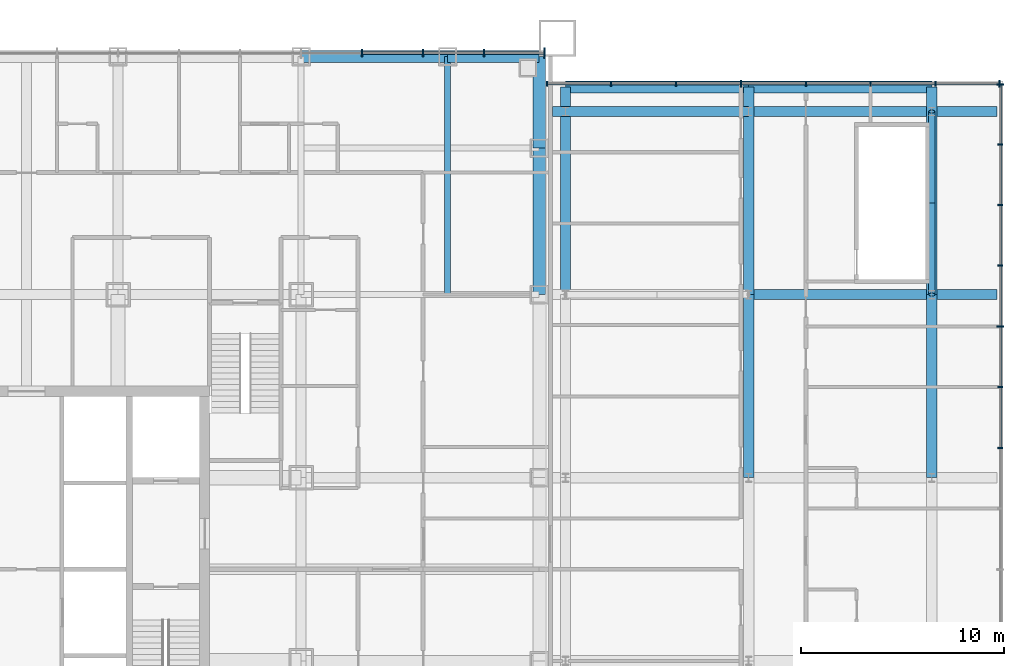
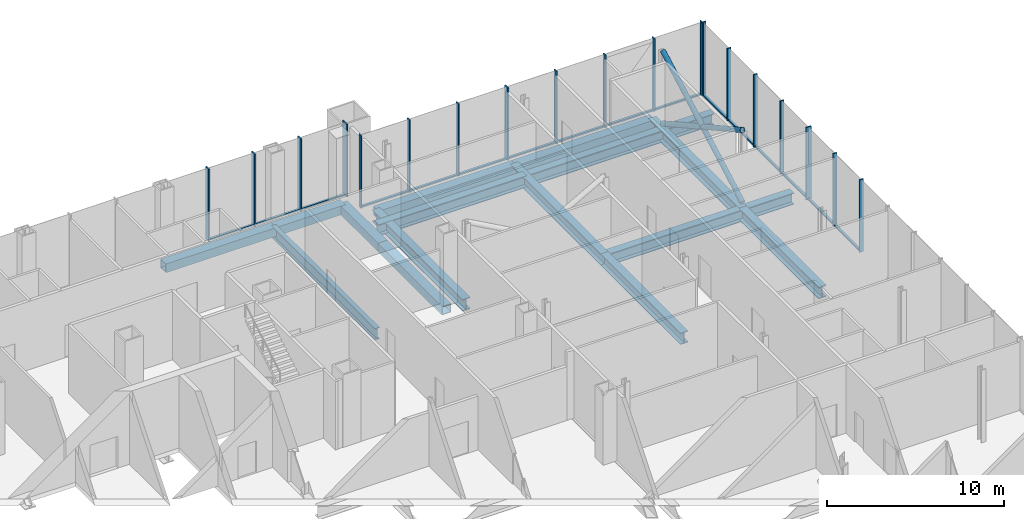
# One storey, part 12 of 28: 37 members, 15 beams, 3 elements without a shape of their own.
"""IFC4 building model written with IfcOpenShell, lengths in metres."""

from ifc_helpers import new_model, si_unit, direction, frame, origin, origin_2d, place, context, subcontext, project, spatial, rectangle, hollow_rectangle, hollow_circle, i_section, extrude, material, layer, layer_set, material_profile, profile_set, type_object, element, aggregate, save


model = new_model("IFC4")

# Units and contexts
model_context = context("Model", 3, precision=1e-05, world=origin(), true_north=direction((0.0, 1.0)))
body_context = subcontext(model_context, "Body", "Model", "MODEL_VIEW")
ifc_project = project(units=[si_unit("LENGTHUNIT", "METRE"), si_unit("AREAUNIT", "SQUARE_METRE"), si_unit("VOLUMEUNIT", "CUBIC_METRE"), si_unit("PLANEANGLEUNIT", "RADIAN"), si_unit("MASSUNIT", "GRAM", prefix="KILO")], contexts=[model_context])

# Site, building, storey
site_placement = place(None, origin())
site = spatial("IfcSite", under=ifc_project, at=site_placement, CompositionType="ELEMENT")
building_placement = place(site_placement, origin())
building = spatial("IfcBuilding", under=site, at=building_placement, Name="Malebo Sky Hospital", CompositionType="ELEMENT")
storey_placement = place(building_placement, frame((0.0, 0.0, 21.0)))
storey = spatial("IfcBuildingStorey", under=building, at=storey_placement, Name="L04", CompositionType="ELEMENT", Elevation=21.0)

# Curtain wall, members
ifc_material_1 = material(Name="Anodised aluminium, natural silver", Category="aluminium")
ifc_layer_1 = layer(ifc_material_1, 0.25)
ifc_layer_set_1 = layer_set([ifc_layer_1], Name="PODIUM ENTRANCE BAY CURTAIN WALL")
curtain_wall_type_1 = type_object("IfcCurtainWallType", Name="PODIUM ENTRANCE BAY CURTAIN WALL", PredefinedType="NOTDEFINED", material=ifc_layer_set_1)
curtain_wall_1_placement = place(storey_placement, origin())
curtain_wall_1 = element("IfcCurtainWall", 1, at=curtain_wall_1_placement, inside=storey, type_object=curtain_wall_type_1, Name="BAY curtain wall BN", PredefinedType="NOTDEFINED")
ifc_material_profile_1 = material_profile(ifc_material_1, rectangle(XDim=0.14990234375, YDim=0.10009765625, at=origin_2d()), Name="ALUMINIUM TRANSOM 150x100")
ifc_profile_set_1 = profile_set([ifc_material_profile_1], Name="Anodised aluminium, natural silver")
member_type_1 = type_object("IfcMemberType", Name="ALUMINIUM TRANSOM 150x100", PredefinedType="USERDEFINED", material=ifc_profile_set_1)
member_1_placement = place(storey_placement, frame((85.425048828125, 87.375, 0.050048828125), z_axis=(-1.0, 0.0, 0.0), x_axis=(0.0, -1.0, 0.0)))
member_1 = element("IfcMember", 2, at=member_1_placement, type_object=member_type_1, Name="Transom 1", ObjectType="TRANSOM", PredefinedType="USERDEFINED", context=body_context, shape_type="SweptSolid", body=[
    extrude(rectangle(XDim=0.14990234375, YDim=0.10009765625, at=origin_2d()), origin(), (0.0, 0.0, 1.0), 2.887451171875),
])
member_2_placement = place(storey_placement, frame((82.46240234375, 87.375, 0.050048828125), z_axis=(-1.0, 0.0, 0.0), x_axis=(0.0, -1.0, 0.0)))
member_2 = element("IfcMember", 3, at=member_2_placement, type_object=member_type_1, Name="Transom 2", ObjectType="TRANSOM", PredefinedType="USERDEFINED", context=body_context, shape_type="SweptSolid", body=[
    extrude(rectangle(XDim=0.14990234375, YDim=0.10009765625, at=origin_2d()), origin(), (0.0, 0.0, 1.0), 2.9248046875),
])
member_3_placement = place(storey_placement, frame((79.46240234375, 87.375, 0.050048828125), z_axis=(-1.0, 0.0, 0.0), x_axis=(0.0, -1.0, 0.0)))
member_3 = element("IfcMember", 4, at=member_3_placement, type_object=member_type_1, Name="Transom 3", ObjectType="TRANSOM", PredefinedType="USERDEFINED", context=body_context, shape_type="SweptSolid", body=[
    extrude(rectangle(XDim=0.14990234375, YDim=0.10009765625, at=origin_2d()), origin(), (0.0, 0.0, 1.0), 2.9248046875),
])

ifc_layer_2 = layer(ifc_material_1, 0.25)
ifc_layer_set_2 = layer_set([ifc_layer_2], Name="PODIUM CURTAIN WALL")
curtain_wall_type_2 = type_object("IfcCurtainWallType", Name="PODIUM CURTAIN WALL", PredefinedType="NOTDEFINED", material=ifc_layer_set_2)
curtain_wall_2_placement = place(storey_placement, origin())
curtain_wall_2 = element("IfcCurtainWall", 5, at=curtain_wall_2_placement, inside=storey, type_object=curtain_wall_type_2, Name="POD curtain wall EE", PredefinedType="NOTDEFINED")
member_4_placement = place(storey_placement, frame((107.875, 68.00634765625, 0.050048828125), z_axis=(0.0, 1.0, 0.0), x_axis=(-1.0, 0.0, 0.0)))
member_4 = element("IfcMember", 6, at=member_4_placement, type_object=member_type_1, Name="Transom 11", ObjectType="TRANSOM", PredefinedType="USERDEFINED", context=body_context, shape_type="SweptSolid", body=[
    extrude(rectangle(XDim=0.14990234375, YDim=0.10009765625, at=origin_2d()), origin(), (0.0, 0.0, 1.0), 2.9091796875),
])
member_5_placement = place(storey_placement, frame((107.875, 70.990478515625, 0.050048828125), z_axis=(0.0, 1.0, 0.0), x_axis=(-1.0, 0.0, 0.0)))
member_5 = element("IfcMember", 7, at=member_5_placement, type_object=member_type_1, Name="Transom 12", ObjectType="TRANSOM", PredefinedType="USERDEFINED", context=body_context, shape_type="SweptSolid", body=[
    extrude(rectangle(XDim=0.14990234375, YDim=0.10009765625, at=origin_2d()), origin(), (0.0, 0.0, 1.0), 2.909423828125),
])
member_6_placement = place(storey_placement, frame((107.875, 73.97509765625, 0.050048828125), z_axis=(0.0, 1.0, 0.0), x_axis=(-1.0, 0.0, 0.0)))
member_6 = element("IfcMember", 8, at=member_6_placement, type_object=member_type_1, Name="Transom 13", ObjectType="TRANSOM", PredefinedType="USERDEFINED", context=body_context, shape_type="SweptSolid", body=[
    extrude(rectangle(XDim=0.14990234375, YDim=0.10009765625, at=origin_2d()), origin(), (0.0, 0.0, 1.0), 2.909423828125),
])
member_7_placement = place(storey_placement, frame((107.875, 76.95947265625, 0.050048828125), z_axis=(0.0, 1.0, 0.0), x_axis=(-1.0, 0.0, 0.0)))
member_7 = element("IfcMember", 9, at=member_7_placement, type_object=member_type_1, Name="Transom 14", ObjectType="TRANSOM", PredefinedType="USERDEFINED", context=body_context, shape_type="SweptSolid", body=[
    extrude(rectangle(XDim=0.14990234375, YDim=0.10009765625, at=origin_2d()), origin(), (0.0, 0.0, 1.0), 2.9091796875),
])
member_8_placement = place(storey_placement, frame((107.875, 79.943603515625, 0.050048828125), z_axis=(0.0, 1.0, 0.0), x_axis=(-1.0, 0.0, 0.0)))
member_8 = element("IfcMember", 10, at=member_8_placement, type_object=member_type_1, Name="Transom 15", ObjectType="TRANSOM", PredefinedType="USERDEFINED", context=body_context, shape_type="SweptSolid", body=[
    extrude(rectangle(XDim=0.14990234375, YDim=0.10009765625, at=origin_2d()), origin(), (0.0, 0.0, 1.0), 2.909423828125),
])
member_9_placement = place(storey_placement, frame((107.875, 82.927978515625, 0.050048828125), z_axis=(0.0, 1.0, 0.0), x_axis=(-1.0, 0.0, 0.0)))
member_9 = element("IfcMember", 11, at=member_9_placement, type_object=member_type_1, Name="Transom 16", ObjectType="TRANSOM", PredefinedType="USERDEFINED", context=body_context, shape_type="SweptSolid", body=[
    extrude(rectangle(XDim=0.14990234375, YDim=0.10009765625, at=origin_2d()), origin(), (0.0, 0.0, 1.0), 2.8720703125),
])

curtain_wall_3_placement = place(storey_placement, origin())
curtain_wall_3 = element("IfcCurtainWall", 12, at=curtain_wall_3_placement, inside=storey, type_object=curtain_wall_type_2, Name="POD curtain wall EN", PredefinedType="NOTDEFINED")
member_10_placement = place(storey_placement, frame((107.800048828125, 85.875, 0.050048828125), z_axis=(-1.0, 0.0, 0.0), x_axis=(0.0, -1.0, 0.0)))
member_10 = element("IfcMember", 13, at=member_10_placement, type_object=member_type_1, Name="Transom 1", ObjectType="TRANSOM", PredefinedType="USERDEFINED", context=body_context, shape_type="SweptSolid", body=[
    extrude(rectangle(XDim=0.14990234375, YDim=0.10009765625, at=origin_2d()), origin(), (0.0, 0.0, 1.0), 3.076904296875),
])
member_11_placement = place(storey_placement, frame((104.648193359375, 85.875, 0.050048828125), z_axis=(-1.0, 0.0, 0.0), x_axis=(0.0, -1.0, 0.0)))
member_11 = element("IfcMember", 14, at=member_11_placement, type_object=member_type_1, Name="Transom 2", ObjectType="TRANSOM", PredefinedType="USERDEFINED", context=body_context, shape_type="SweptSolid", body=[
    extrude(rectangle(XDim=0.14990234375, YDim=0.10009765625, at=origin_2d()), origin(), (0.0, 0.0, 1.0), 3.1142578125),
])
member_12_placement = place(storey_placement, frame((101.458984375, 85.875, 0.050048828125), z_axis=(-1.0, 0.0, 0.0), x_axis=(0.0, -1.0, 0.0)))
member_12 = element("IfcMember", 15, at=member_12_placement, type_object=member_type_1, Name="Transom 3", ObjectType="TRANSOM", PredefinedType="USERDEFINED", context=body_context, shape_type="SweptSolid", body=[
    extrude(rectangle(XDim=0.14990234375, YDim=0.10009765625, at=origin_2d()), origin(), (0.0, 0.0, 1.0), 3.114501953125),
])
member_13_placement = place(storey_placement, frame((98.26953125, 85.875, 0.050048828125), z_axis=(-1.0, 0.0, 0.0), x_axis=(0.0, -1.0, 0.0)))
member_13 = element("IfcMember", 16, at=member_13_placement, type_object=member_type_1, Name="Transom 4", ObjectType="TRANSOM", PredefinedType="USERDEFINED", context=body_context, shape_type="SweptSolid", body=[
    extrude(rectangle(XDim=0.14990234375, YDim=0.10009765625, at=origin_2d()), origin(), (0.0, 0.0, 1.0), 3.114013671875),
])
member_14_placement = place(storey_placement, frame((95.080322265625, 85.875, 0.050048828125), z_axis=(-1.0, 0.0, 0.0), x_axis=(0.0, -1.0, 0.0)))
member_14 = element("IfcMember", 17, at=member_14_placement, type_object=member_type_1, Name="Transom 5", ObjectType="TRANSOM", PredefinedType="USERDEFINED", context=body_context, shape_type="SweptSolid", body=[
    extrude(rectangle(XDim=0.14990234375, YDim=0.10009765625, at=origin_2d()), origin(), (0.0, 0.0, 1.0), 3.1142578125),
])
member_15_placement = place(storey_placement, frame((91.89111328125, 85.875, 0.050048828125), z_axis=(-1.0, 0.0, 0.0), x_axis=(0.0, -1.0, 0.0)))
member_15 = element("IfcMember", 18, at=member_15_placement, type_object=member_type_1, Name="Transom 6", ObjectType="TRANSOM", PredefinedType="USERDEFINED", context=body_context, shape_type="SweptSolid", body=[
    extrude(rectangle(XDim=0.14990234375, YDim=0.10009765625, at=origin_2d()), origin(), (0.0, 0.0, 1.0), 3.1142578125),
])
member_16_placement = place(storey_placement, frame((88.701904296875, 85.875, 0.050048828125), z_axis=(-1.0, 0.0, 0.0), x_axis=(0.0, -1.0, 0.0)))
member_16 = element("IfcMember", 19, at=member_16_placement, type_object=member_type_1, Name="Transom 7", ObjectType="TRANSOM", PredefinedType="USERDEFINED", context=body_context, shape_type="SweptSolid", body=[
    extrude(rectangle(XDim=0.14990234375, YDim=0.10009765625, at=origin_2d()), origin(), (0.0, 0.0, 1.0), 3.076904296875),
])

# Member
ifc_material_profile_2 = material_profile(ifc_material_1, rectangle(XDim=0.074951171875, YDim=0.25, at=origin_2d()), Name="CW3 ALUMINIUM FIN MULLION 75x250")
ifc_profile_set_2 = profile_set([ifc_material_profile_2], Name="Anodised aluminium, natural silver")
member_type_2 = type_object("IfcMemberType", Name="CW3 ALUMINIUM FIN MULLION 75x250", PredefinedType="MULLION", material=ifc_profile_set_2)
member_17_placement = place(storey_placement, frame((107.875, 67.96875, 0.0), z_axis=(0.0, 0.0, 1.0), x_axis=(0.0, 1.0, 0.0)))
member_17 = element("IfcMember", 20, at=member_17_placement, type_object=member_type_2, Name="Fin mullion 11", PredefinedType="MULLION", context=body_context, shape_type="SweptSolid", body=[
    extrude(rectangle(XDim=0.074951171875, YDim=0.25, at=origin_2d()), origin(), (0.0, 0.0, 1.0), 5.0),
])

member_18_placement = place(storey_placement, frame((107.875, 70.953125, 0.0), z_axis=(0.0, 0.0, 1.0), x_axis=(0.0, 1.0, 0.0)))
member_18 = element("IfcMember", 21, at=member_18_placement, type_object=member_type_2, Name="Fin mullion 12", PredefinedType="MULLION", context=body_context, shape_type="SweptSolid", body=[
    extrude(rectangle(XDim=0.074951171875, YDim=0.25, at=origin_2d()), origin(), (0.0, 0.0, 1.0), 5.0),
])

member_19_placement = place(storey_placement, frame((107.875, 76.921875, 0.0), z_axis=(0.0, 0.0, 1.0), x_axis=(0.0, 1.0, 0.0)))
member_19 = element("IfcMember", 22, at=member_19_placement, type_object=member_type_2, Name="Fin mullion 14", PredefinedType="MULLION", context=body_context, shape_type="SweptSolid", body=[
    extrude(rectangle(XDim=0.074951171875, YDim=0.25, at=origin_2d()), origin(), (0.0, 0.0, 1.0), 5.0),
])

member_20_placement = place(storey_placement, frame((107.875, 79.90625, 0.0), z_axis=(0.0, 0.0, 1.0), x_axis=(0.0, 1.0, 0.0)))
member_20 = element("IfcMember", 23, at=member_20_placement, type_object=member_type_2, Name="Fin mullion 15", PredefinedType="MULLION", context=body_context, shape_type="SweptSolid", body=[
    extrude(rectangle(XDim=0.074951171875, YDim=0.25, at=origin_2d()), origin(), (0.0, 0.0, 1.0), 5.0),
])

member_21_placement = place(storey_placement, frame((107.875, 82.890625, 0.0), z_axis=(0.0, 0.0, 1.0), x_axis=(0.0, 1.0, 0.0)))
member_21 = element("IfcMember", 24, at=member_21_placement, type_object=member_type_2, Name="Fin mullion 16", PredefinedType="MULLION", context=body_context, shape_type="SweptSolid", body=[
    extrude(rectangle(XDim=0.074951171875, YDim=0.25, at=origin_2d()), origin(), (0.0, 0.0, 1.0), 5.0),
])

member_22_placement = place(storey_placement, frame((104.685791015625, 85.875, 0.0), z_axis=(0.0, 0.0, 1.0), x_axis=(-1.0, 0.0, 0.0)))
member_22 = element("IfcMember", 25, at=member_22_placement, type_object=member_type_2, Name="Fin mullion 2", PredefinedType="MULLION", context=body_context, shape_type="SweptSolid", body=[
    extrude(rectangle(XDim=0.074951171875, YDim=0.25, at=origin_2d()), origin(), (0.0, 0.0, 1.0), 5.0),
])

member_23_placement = place(storey_placement, frame((101.496337890625, 85.875, 0.0), z_axis=(0.0, 0.0, 1.0), x_axis=(-1.0, 0.0, 0.0)))
member_23 = element("IfcMember", 26, at=member_23_placement, type_object=member_type_2, Name="Fin mullion 3", PredefinedType="MULLION", context=body_context, shape_type="SweptSolid", body=[
    extrude(rectangle(XDim=0.074951171875, YDim=0.25, at=origin_2d()), origin(), (0.0, 0.0, 1.0), 5.0),
])

member_24_placement = place(storey_placement, frame((98.30712890625, 85.875, 0.0), z_axis=(0.0, 0.0, 1.0), x_axis=(-1.0, 0.0, 0.0)))
member_24 = element("IfcMember", 27, at=member_24_placement, type_object=member_type_2, Name="Fin mullion 4", PredefinedType="MULLION", context=body_context, shape_type="SweptSolid", body=[
    extrude(rectangle(XDim=0.074951171875, YDim=0.25, at=origin_2d()), origin(), (0.0, 0.0, 1.0), 5.0),
])

member_25_placement = place(storey_placement, frame((91.9287109375, 85.875, 0.0), z_axis=(0.0, 0.0, 1.0), x_axis=(-1.0, 0.0, 0.0)))
member_25 = element("IfcMember", 28, at=member_25_placement, type_object=member_type_2, Name="Fin mullion 6", PredefinedType="MULLION", context=body_context, shape_type="SweptSolid", body=[
    extrude(rectangle(XDim=0.074951171875, YDim=0.25, at=origin_2d()), origin(), (0.0, 0.0, 1.0), 5.0),
])

member_26_placement = place(storey_placement, frame((88.7392578125, 85.875, 0.0), z_axis=(0.0, 0.0, 1.0), x_axis=(-1.0, 0.0, 0.0)))
member_26 = element("IfcMember", 29, at=member_26_placement, type_object=member_type_2, Name="Fin mullion 7", PredefinedType="MULLION", context=body_context, shape_type="SweptSolid", body=[
    extrude(rectangle(XDim=0.074951171875, YDim=0.25, at=origin_2d()), origin(), (0.0, 0.0, 1.0), 5.0),
])

member_27_placement = place(storey_placement, frame((85.58740234375, 85.875, 0.0), z_axis=(0.0, 0.0, 1.0), x_axis=(-1.0, 0.0, 0.0)))
member_27 = element("IfcMember", 30, at=member_27_placement, type_object=member_type_2, Name="Fin mullion 8", PredefinedType="MULLION", context=body_context, shape_type="SweptSolid", body=[
    extrude(rectangle(XDim=0.074951171875, YDim=0.25, at=origin_2d()), origin(), (0.0, 0.0, 1.0), 5.0),
])

ifc_material_profile_3 = material_profile(ifc_material_1, rectangle(XDim=0.074951171875, YDim=0.35009765625, at=origin_2d()), Name="CW3 ALUMINIUM FIN MULLION 75x350")
ifc_profile_set_3 = profile_set([ifc_material_profile_3], Name="Anodised aluminium, natural silver")
member_type_3 = type_object("IfcMemberType", Name="CW3 ALUMINIUM FIN MULLION 75x350", PredefinedType="MULLION", material=ifc_profile_set_3)
member_28_placement = place(storey_placement, frame((107.875, 73.9375, 0.0), z_axis=(0.0, 0.0, 1.0), x_axis=(0.0, 1.0, 0.0)))
member_28 = element("IfcMember", 31, at=member_28_placement, type_object=member_type_3, Name="Fin mullion 13", PredefinedType="MULLION", context=body_context, shape_type="SweptSolid", body=[
    extrude(rectangle(XDim=0.074951171875, YDim=0.35009765625, at=origin_2d()), origin(), (0.0, 0.0, 1.0), 5.0),
])

member_29_placement = place(storey_placement, frame((107.875, 85.83740234375, 0.0), z_axis=(0.0, 0.0, 1.0), x_axis=(0.0, 1.0, 0.0)))
member_29 = element("IfcMember", 32, at=member_29_placement, type_object=member_type_3, Name="Fin mullion 17", PredefinedType="MULLION", context=body_context, shape_type="SweptSolid", body=[
    extrude(rectangle(XDim=0.074951171875, YDim=0.35009765625, at=origin_2d()), origin(), (0.0, 0.0, 1.0), 5.0),
])

aggregate(curtain_wall_2, [member_17, member_18, member_28, member_19, member_20, member_21, member_29, member_4, member_5, member_6, member_7, member_8, member_9])

member_30_placement = place(storey_placement, frame((107.83740234375, 85.875, 0.0), z_axis=(0.0, 0.0, 1.0), x_axis=(-1.0, 0.0, 0.0)))
member_30 = element("IfcMember", 33, at=member_30_placement, type_object=member_type_3, Name="Fin mullion 1", PredefinedType="MULLION", context=body_context, shape_type="SweptSolid", body=[
    extrude(rectangle(XDim=0.074951171875, YDim=0.35009765625, at=origin_2d()), origin(), (0.0, 0.0, 1.0), 5.0),
])

member_31_placement = place(storey_placement, frame((95.117919921875, 85.875, 0.0), z_axis=(0.0, 0.0, 1.0), x_axis=(-1.0, 0.0, 0.0)))
member_31 = element("IfcMember", 34, at=member_31_placement, type_object=member_type_3, Name="Fin mullion 5", PredefinedType="MULLION", context=body_context, shape_type="SweptSolid", body=[
    extrude(rectangle(XDim=0.074951171875, YDim=0.35009765625, at=origin_2d()), origin(), (0.0, 0.0, 1.0), 5.0),
])

aggregate(curtain_wall_3, [member_30, member_22, member_23, member_24, member_31, member_25, member_26, member_27, member_10, member_11, member_12, member_13, member_14, member_15, member_16])

ifc_material_profile_4 = material_profile(ifc_material_1, rectangle(XDim=0.074951171875, YDim=0.35009765625, at=origin_2d()), Name="CW4 ALUMINIUM FIN MULLION 75x350")
ifc_profile_set_4 = profile_set([ifc_material_profile_4], Name="Anodised aluminium, natural silver")
member_type_4 = type_object("IfcMemberType", Name="CW4 ALUMINIUM FIN MULLION 75x350", PredefinedType="MULLION", material=ifc_profile_set_4)
member_32_placement = place(storey_placement, frame((82.5, 87.375, 0.0), z_axis=(0.0, 0.0, 1.0), x_axis=(-1.0, 0.0, 0.0)))
member_32 = element("IfcMember", 35, at=member_32_placement, type_object=member_type_4, Name="Fin mullion 2", PredefinedType="MULLION", context=body_context, shape_type="SweptSolid", body=[
    extrude(rectangle(XDim=0.074951171875, YDim=0.35009765625, at=origin_2d()), origin(), (0.0, 0.0, 1.0), 5.0),
])

member_33_placement = place(storey_placement, frame((79.5, 87.375, 0.0), z_axis=(0.0, 0.0, 1.0), x_axis=(-1.0, 0.0, 0.0)))
member_33 = element("IfcMember", 36, at=member_33_placement, type_object=member_type_4, Name="Fin mullion 3", PredefinedType="MULLION", context=body_context, shape_type="SweptSolid", body=[
    extrude(rectangle(XDim=0.074951171875, YDim=0.35009765625, at=origin_2d()), origin(), (0.0, 0.0, 1.0), 5.0),
])

member_34_placement = place(storey_placement, frame((76.5, 87.375, 0.0), z_axis=(0.0, 0.0, 1.0), x_axis=(-1.0, 0.0, 0.0)))
member_34 = element("IfcMember", 37, at=member_34_placement, type_object=member_type_4, Name="Fin mullion 4", PredefinedType="MULLION", context=body_context, shape_type="SweptSolid", body=[
    extrude(rectangle(XDim=0.074951171875, YDim=0.35009765625, at=origin_2d()), origin(), (0.0, 0.0, 1.0), 5.0),
])

ifc_material_profile_5 = material_profile(ifc_material_1, rectangle(XDim=0.074951171875, YDim=0.5, at=origin_2d()), Name="CW4 ALUMINIUM FIN MULLION 75x500")
ifc_profile_set_5 = profile_set([ifc_material_profile_5], Name="Anodised aluminium, natural silver")
member_type_5 = type_object("IfcMemberType", Name="CW4 ALUMINIUM FIN MULLION 75x500", PredefinedType="MULLION", material=ifc_profile_set_5)
member_35_placement = place(storey_placement, frame((85.46240234375, 87.375, 0.0), z_axis=(0.0, 0.0, 1.0), x_axis=(-1.0, 0.0, 0.0)))
member_35 = element("IfcMember", 38, at=member_35_placement, type_object=member_type_5, Name="Fin mullion 1", PredefinedType="MULLION", context=body_context, shape_type="SweptSolid", body=[
    extrude(rectangle(XDim=0.074951171875, YDim=0.5, at=origin_2d()), origin(), (0.0, 0.0, 1.0), 5.0),
])

aggregate(curtain_wall_1, [member_35, member_32, member_33, member_34, member_1, member_2, member_3])

# Beams
ifc_material_2 = material(Name="Steel S460", Category="steel")
ifc_material_profile_6 = material_profile(ifc_material_2, hollow_rectangle(XDim=0.60009765625, YDim=0.60009765625, WallThickness=0.0400390625, at=origin_2d()), Name="BOX 600x600x40")
ifc_profile_set_6 = profile_set([ifc_material_profile_6], Name="Steel S460")
beam_type_1 = type_object("IfcBeamType", Name="EDGE BEAM BOX 600x600x40", PredefinedType="BEAM", material=ifc_profile_set_6)
beam_1_placement = place(storey_placement, frame((85.199951171875, 75.5, -0.60009765625), z_axis=(0.0, 1.0, 0.0), x_axis=(-1.0, 0.0, 0.0)))
element("IfcBeam", 39, at=beam_1_placement, inside=storey, type_object=beam_type_1, Name="Beam 036 L04", PredefinedType="BEAM", context=body_context, shape_type="SweptSolid", body=[
    extrude(hollow_rectangle(XDim=0.60009765625, YDim=0.60009765625, WallThickness=0.0400390625, at=origin_2d()), origin(), (0.0, 0.0, 1.0), 7.199951171875),
])
beam_2_placement = place(storey_placement, frame((85.199951171875, 82.699951171875, -0.60009765625), z_axis=(0.0, 1.0, 0.0), x_axis=(-1.0, 0.0, 0.0)))
element("IfcBeam", 40, at=beam_2_placement, inside=storey, type_object=beam_type_1, Name="Beam 037 L04", PredefinedType="BEAM", context=body_context, shape_type="SweptSolid", body=[
    extrude(hollow_rectangle(XDim=0.60009765625, YDim=0.60009765625, WallThickness=0.0400390625, at=origin_2d()), origin(), (0.0, 0.0, 1.0), 4.5),
])
beam_3_placement = place(storey_placement, frame((73.5, 87.199951171875, -0.60009765625), z_axis=(1.0, 0.0, 0.0), x_axis=(0.0, 1.0, 0.0)))
element("IfcBeam", 41, at=beam_3_placement, inside=storey, type_object=beam_type_1, Name="Beam 074 L04", PredefinedType="BEAM", context=body_context, shape_type="SweptSolid", body=[
    extrude(hollow_rectangle(XDim=0.60009765625, YDim=0.60009765625, WallThickness=0.0400390625, at=origin_2d()), origin(), (0.0, 0.0, 1.0), 7.199951171875),
])
beam_4_placement = place(storey_placement, frame((80.699951171875, 87.199951171875, -0.60009765625), z_axis=(1.0, 0.0, 0.0), x_axis=(0.0, 1.0, 0.0)))
element("IfcBeam", 42, at=beam_4_placement, inside=storey, type_object=beam_type_1, Name="Beam 075 L04", PredefinedType="BEAM", context=body_context, shape_type="SweptSolid", body=[
    extrude(hollow_rectangle(XDim=0.60009765625, YDim=0.60009765625, WallThickness=0.0400390625, at=origin_2d()), origin(), (0.0, 0.0, 1.0), 4.5),
])
for number, where, z_axis, x_axis, name in (
    (43, (86.5, 85.699951171875, -0.60009765625), (1.0, 0.0, 0.0), (0.0, 1.0, 0.0), "Beam E030 L04"),
    (44, (95.5, 85.699951171875, -0.60009765625), (1.0, 0.0, 0.0), (0.0, 1.0, 0.0), "Beam E031 L04"),
):
    element("IfcBeam", number, at=place(storey_placement, frame(where, z_axis=z_axis, x_axis=x_axis)), inside=storey, type_object=beam_type_1, Name=name, PredefinedType="BEAM", context=body_context, shape_type="SweptSolid", body=[
        extrude(hollow_rectangle(XDim=0.60009765625, YDim=0.60009765625, WallThickness=0.0400390625, at=origin_2d()), origin(), (0.0, 0.0, 1.0), 9.0),
    ])
ifc_material_3 = material(Name="Steel S355", Category="steel")
ifc_material_profile_7 = material_profile(ifc_material_3, i_section(OverallWidth=0.300048828125, OverallDepth=0.800048828125, WebThickness=0.017578125, FlangeThickness=0.032958984375, FilletRadius=0.030029296875, at=origin_2d()), Name="HEB 800")
ifc_profile_set_7 = profile_set([ifc_material_profile_7], Name="Steel S355")
beam_type_2 = type_object("IfcBeamType", Name="FLOOR BEAM HEB 800", PredefinedType="BEAM", material=ifc_profile_set_7)
beam_5_placement = place(storey_placement, frame((80.699951171875, 75.5, -0.699951171875), z_axis=(0.0, 1.0, 0.0), x_axis=(-1.0, 0.0, 0.0)))
element("IfcBeam", 45, at=beam_5_placement, inside=storey, type_object=beam_type_2, Name="Beam 030 L04", PredefinedType="BEAM", context=body_context, shape_type="SweptSolid", body=[
    extrude(i_section(OverallWidth=0.300048828125, OverallDepth=0.800048828125, WebThickness=0.017578125, FlangeThickness=0.032958984375, FilletRadius=0.030029296875, at=origin_2d()), origin(), (0.0, 0.0, 1.0), 11.699951171875),
])
ifc_material_profile_8 = material_profile(ifc_material_3, i_section(OverallWidth=0.5, OverallDepth=0.800048828125, WebThickness=0.030029296875, FlangeThickness=0.050048828125, at=origin_2d()), Name="PG 800x500x30x50")
ifc_profile_set_8 = profile_set([ifc_material_profile_8], Name="Steel S355")
beam_type_3 = type_object("IfcBeamType", Name="FLOOR BEAM PG 800x500x30x50", PredefinedType="BEAM", material=ifc_profile_set_8)
beam_6_placement = place(storey_placement, frame((86.5, 75.5, -0.699951171875), z_axis=(0.0, 1.0, 0.0), x_axis=(-1.0, 0.0, 0.0)))
element("IfcBeam", 46, at=beam_6_placement, inside=storey, type_object=beam_type_3, Name="Beam E005 L04", PredefinedType="BEAM", context=body_context, shape_type="SweptSolid", body=[
    extrude(i_section(OverallWidth=0.5, OverallDepth=0.800048828125, WebThickness=0.030029296875, FlangeThickness=0.050048828125, at=origin_2d()), origin(), (0.0, 0.0, 1.0), 10.199951171875),
])
beam_7_placement = place(storey_placement, frame((95.5, 66.5, -0.699951171875), z_axis=(0.0, 1.0, 0.0), x_axis=(-1.0, 0.0, 0.0)))
element("IfcBeam", 47, at=beam_7_placement, inside=storey, type_object=beam_type_3, Name="Beam E009 L04", PredefinedType="BEAM", context=body_context, shape_type="SweptSolid", body=[
    extrude(i_section(OverallWidth=0.5, OverallDepth=0.800048828125, WebThickness=0.030029296875, FlangeThickness=0.050048828125, at=origin_2d()), origin(), (0.0, 0.0, 1.0), 9.0),
])
beam_8_placement = place(storey_placement, frame((95.5, 75.5, -0.699951171875), z_axis=(0.0, 1.0, 0.0), x_axis=(-1.0, 0.0, 0.0)))
element("IfcBeam", 48, at=beam_8_placement, inside=storey, type_object=beam_type_3, Name="Beam E010 L04", PredefinedType="BEAM", context=body_context, shape_type="SweptSolid", body=[
    extrude(i_section(OverallWidth=0.5, OverallDepth=0.800048828125, WebThickness=0.030029296875, FlangeThickness=0.050048828125, at=origin_2d()), origin(), (0.0, 0.0, 1.0), 10.199951171875),
])
beam_9_placement = place(storey_placement, frame((104.5, 66.5, -0.699951171875), z_axis=(0.0, 1.0, 0.0), x_axis=(-1.0, 0.0, 0.0)))
element("IfcBeam", 49, at=beam_9_placement, inside=storey, type_object=beam_type_3, Name="Beam E014 L04", PredefinedType="BEAM", context=body_context, shape_type="SweptSolid", body=[
    extrude(i_section(OverallWidth=0.5, OverallDepth=0.800048828125, WebThickness=0.030029296875, FlangeThickness=0.050048828125, at=origin_2d()), origin(), (0.0, 0.0, 1.0), 9.0),
])
beam_10_placement = place(storey_placement, frame((104.5, 75.5, -0.699951171875), z_axis=(0.0, 1.0, 0.0), x_axis=(-1.0, 0.0, 0.0)))
element("IfcBeam", 50, at=beam_10_placement, inside=storey, type_object=beam_type_3, Name="Beam E015 L04", PredefinedType="BEAM", context=body_context, shape_type="SweptSolid", body=[
    extrude(i_section(OverallWidth=0.5, OverallDepth=0.800048828125, WebThickness=0.030029296875, FlangeThickness=0.050048828125, at=origin_2d()), origin(), (0.0, 0.0, 1.0), 10.199951171875),
])
beam_11_placement = place(storey_placement, frame((95.5, 75.5, -0.699951171875), z_axis=(1.0, 0.0, 0.0), x_axis=(0.0, 1.0, 0.0)))
element("IfcBeam", 51, at=beam_11_placement, inside=storey, type_object=beam_type_3, Name="Beam E025 L04", PredefinedType="BEAM", context=body_context, shape_type="SweptSolid", body=[
    extrude(i_section(OverallWidth=0.5, OverallDepth=0.800048828125, WebThickness=0.030029296875, FlangeThickness=0.050048828125, at=origin_2d()), origin(), (0.0, 0.0, 1.0), 12.199951171875),
])
beam_12_placement = place(storey_placement, frame((85.85009765625, 84.5, -0.699951171875), z_axis=(1.0, 0.0, 0.0), x_axis=(0.0, 1.0, 0.0)))
element("IfcBeam", 52, at=beam_12_placement, inside=storey, type_object=beam_type_3, Name="Beam E026 L04", PredefinedType="BEAM", context=body_context, shape_type="SweptSolid", body=[
    extrude(i_section(OverallWidth=0.5, OverallDepth=0.800048828125, WebThickness=0.030029296875, FlangeThickness=0.050048828125, at=origin_2d()), origin(), (0.0, 0.0, 1.0), 9.64990234375),
])
beam_13_placement = place(storey_placement, frame((95.5, 84.5, -0.699951171875), z_axis=(1.0, 0.0, 0.0), x_axis=(0.0, 1.0, 0.0)))
element("IfcBeam", 53, at=beam_13_placement, inside=storey, type_object=beam_type_3, Name="Beam E027 L04", PredefinedType="BEAM", context=body_context, shape_type="SweptSolid", body=[
    extrude(i_section(OverallWidth=0.5, OverallDepth=0.800048828125, WebThickness=0.030029296875, FlangeThickness=0.050048828125, at=origin_2d()), origin(), (0.0, 0.0, 1.0), 12.199951171875),
])

# Members
ifc_material_profile_9 = material_profile(ifc_material_2, hollow_circle(Radius=0.161865234375, WallThickness=0.012451171875, at=origin_2d()), Name="CHS 323.9x12.5")
ifc_profile_set_9 = profile_set([ifc_material_profile_9], Name="Steel S460")
member_type_6 = type_object("IfcMemberType", Name="WING BRACE CHS 323.9x12.5", PredefinedType="BRACE", material=ifc_profile_set_9)
for number, where, z_axis, x_axis, name in (
    (54, (104.5, 75.5, 0.0), (0.0, 0.874157276122, 0.485642931179), (-1.0, 0.0, 0.0), "Wing brace E1.1 L04"),
    (55, (104.5, 84.5, 0.0), (0.0, -0.874157276122, 0.485642931179), (1.0, 0.0, 0.0), "Wing brace E1.2 L04"),
):
    element("IfcMember", number, at=place(storey_placement, frame(where, z_axis=z_axis, x_axis=x_axis)), inside=storey, type_object=member_type_6, Name=name, PredefinedType="BRACE", context=body_context, shape_type="SweptSolid", body=[
        extrude(hollow_circle(Radius=0.161865234375, WallThickness=0.012451171875, at=origin_2d()), origin(), (0.0, 0.0, 1.0), 10.295654296875),
    ])

save(model, "model.ifc")
